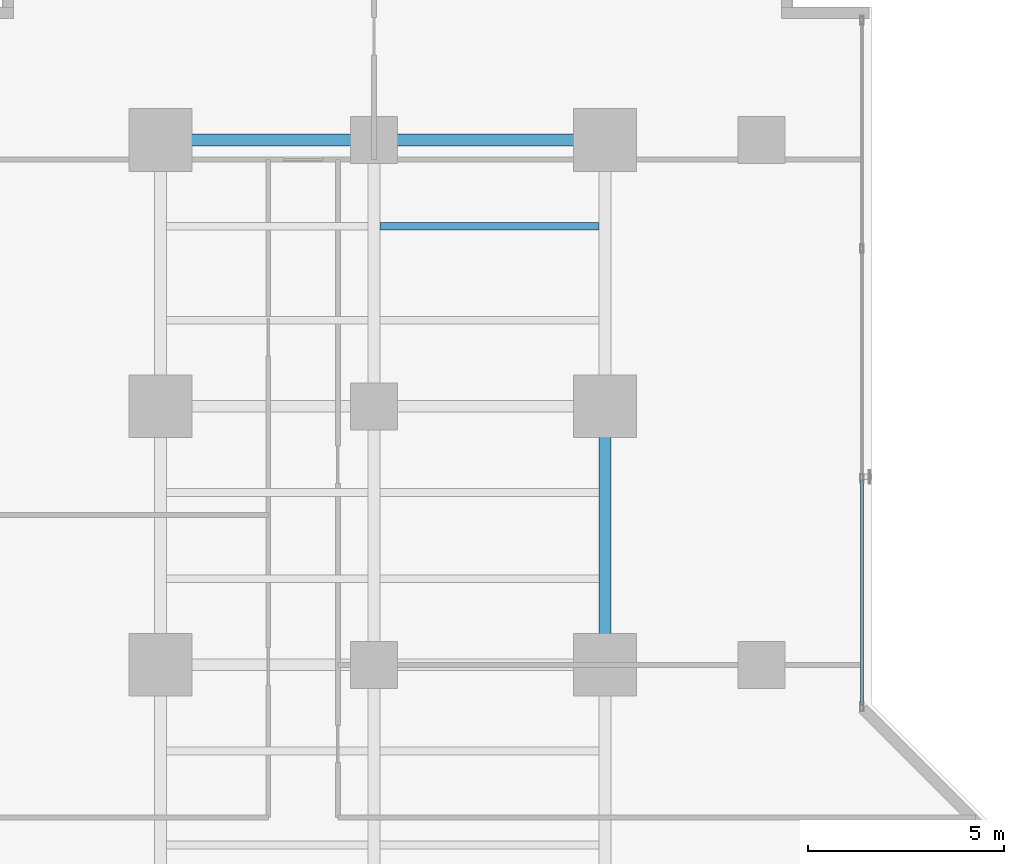
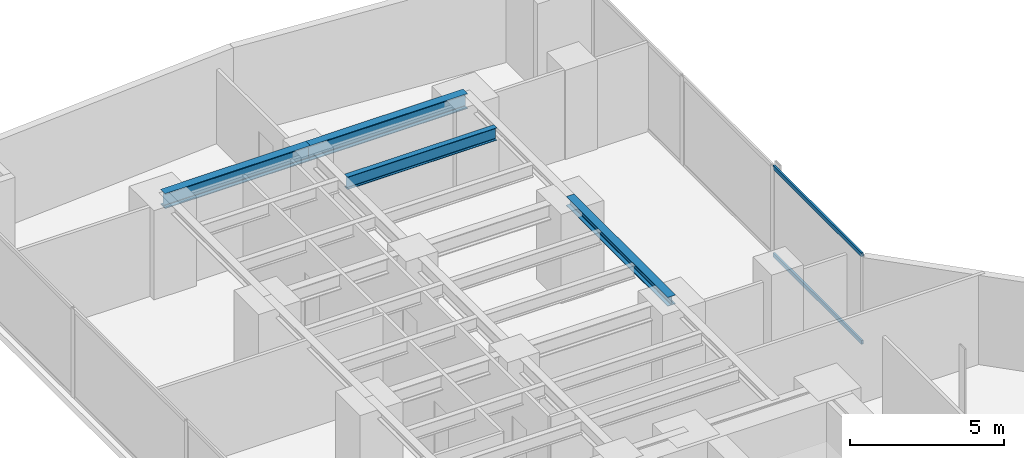
# One storey, part 18 of 28: 4 beams, 2 members, 1 element without a shape of its own.
"""IFC4 building model written with IfcOpenShell, lengths in metres."""

from ifc_helpers import new_model, si_unit, direction, frame, origin, origin_with_axes, origin_2d, place, context, subcontext, project, spatial, hollow_rectangle, i_section, extrude, source, transform, mapped, material, layer, layer_set, material_profile, profile_set, type_object, element, aggregate, save


model = new_model("IFC4")

# Units and contexts
model_context = context("Model", 3, precision=1e-05, world=origin(), true_north=direction((0.0, 1.0)))
body_context = subcontext(model_context, "Body", "Model", "MODEL_VIEW")
ifc_project = project(units=[si_unit("LENGTHUNIT", "METRE"), si_unit("AREAUNIT", "SQUARE_METRE"), si_unit("VOLUMEUNIT", "CUBIC_METRE"), si_unit("PLANEANGLEUNIT", "RADIAN"), si_unit("MASSUNIT", "GRAM", prefix="KILO")], contexts=[model_context])

# Site, building, storey
site_placement = place(None, origin())
site = spatial("IfcSite", under=ifc_project, at=site_placement, CompositionType="ELEMENT")
building_placement = place(site_placement, origin())
building = spatial("IfcBuilding", under=site, at=building_placement, Name="Kolvaren Waterfront Exchange", CompositionType="ELEMENT")
storey_placement = place(building_placement, frame((0.0, 0.0, 41.0)))
storey = spatial("IfcBuildingStorey", under=building, at=storey_placement, Name="L10", CompositionType="ELEMENT", Elevation=41.0)

# Beams
ifc_material_1 = material(Name="Steel S355", Category="steel")
ifc_material_profile_1 = material_profile(ifc_material_1, i_section(OverallWidth=0.300048828125, OverallDepth=0.360107421875, WebThickness=0.012451171875, FlangeThickness=0.0224609375, FilletRadius=0.027099609375, at=origin_2d()), Name="HEB360")
ifc_profile_set_1 = profile_set([ifc_material_profile_1], Name="Steel S355")
beam_type_1 = type_object("IfcBeamType", Name="STR-BM-HEB360", PredefinedType="SPANDREL", material=ifc_profile_set_1)
beam_1_placement = place(storey_placement, frame((18.800048828125, 31.199951171875, 3.360107421875), z_axis=(0.0, 1.0, 0.0), x_axis=(-1.0, 0.0, 0.0)))
element("IfcBeam", 1, at=beam_1_placement, inside=storey, type_object=beam_type_1, Name="L10 north-arm edge beam 2", PredefinedType="SPANDREL", context=body_context, shape_type="SweptSolid", body=[
    extrude(i_section(OverallWidth=0.300048828125, OverallDepth=0.360107421875, WebThickness=0.012451171875, FlangeThickness=0.0224609375, FilletRadius=0.027099609375, at=origin_2d()), origin(), (0.0, 0.0, 1.0), 6.60009765625),
])
ifc_material_profile_2 = material_profile(ifc_material_1, i_section(OverallWidth=0.300048828125, OverallDepth=0.60009765625, WebThickness=0.015380859375, FlangeThickness=0.030029296875, FilletRadius=0.027099609375, at=origin_2d()), Name="HEB600")
ifc_profile_set_2 = profile_set([ifc_material_profile_2], Name="Steel S355")
beam_type_2 = type_object("IfcBeamType", Name="STR-BM-HEB600", PredefinedType="BEAM", material=ifc_profile_set_2)
beam_2_placement = place(storey_placement, frame((7.449951171875, 44.60009765625, 3.239990234375), z_axis=(1.0, 0.0, 0.0), x_axis=(0.0, 1.0, 0.0)))
element("IfcBeam", 2, at=beam_2_placement, inside=storey, type_object=beam_type_2, Name="L10 north-arm girder 4A", PredefinedType="BEAM", context=body_context, shape_type="SweptSolid", body=[
    extrude(i_section(OverallWidth=0.300048828125, OverallDepth=0.60009765625, WebThickness=0.015380859375, FlangeThickness=0.030029296875, FilletRadius=0.027099609375, at=origin_2d()), origin(), (0.0, 0.0, 1.0), 5.449951171875),
])
beam_3_placement = place(storey_placement, frame((12.89990234375, 44.60009765625, 3.239990234375), z_axis=(1.0, 0.0, 0.0), x_axis=(0.0, 1.0, 0.0)))
element("IfcBeam", 3, at=beam_3_placement, inside=storey, type_object=beam_type_2, Name="L10 north-arm girder 4B", PredefinedType="BEAM", context=body_context, shape_type="SweptSolid", body=[
    extrude(i_section(OverallWidth=0.300048828125, OverallDepth=0.60009765625, WebThickness=0.015380859375, FlangeThickness=0.030029296875, FilletRadius=0.027099609375, at=origin_2d()), origin(), (0.0, 0.0, 1.0), 5.900146484375),
])
ifc_material_profile_3 = material_profile(ifc_material_1, i_section(OverallWidth=0.199951171875, OverallDepth=0.5, WebThickness=0.01025390625, FlangeThickness=0.01611328125, FilletRadius=0.02099609375, at=origin_2d()), Name="IPE500")
ifc_profile_set_3 = profile_set([ifc_material_profile_3], Name="Steel S355")
beam_type_3 = type_object("IfcBeamType", Name="STR-BM-IPE500", PredefinedType="JOIST", material=ifc_profile_set_3)
beam_4_placement = place(storey_placement, frame((13.052001953125, 42.39990234375, 3.2900390625), z_axis=(1.0, 0.0, 0.0), x_axis=(0.0, 1.0, 0.0)))
element("IfcBeam", 4, at=beam_4_placement, inside=storey, type_object=beam_type_3, Name="L10 north-arm composite joist 6B", PredefinedType="JOIST", context=body_context, shape_type="SweptSolid", body=[
    extrude(i_section(OverallWidth=0.199951171875, OverallDepth=0.5, WebThickness=0.01025390625, FlangeThickness=0.01611328125, FilletRadius=0.02099609375, at=origin_2d()), origin(), (0.0, 0.0, 1.0), 5.595947265625),
])

# Curtain wall, members
ifc_material_2 = material(Name="Anodised bronze aluminium 6063-T6", Category="aluminium")
ifc_layer = layer(ifc_material_2, 0.219970703125, Name="Anodised bronze aluminium 6063-T6")
ifc_layer_set = layer_set([ifc_layer], Name="Anodised bronze aluminium 6063-T6")
curtain_wall_type = type_object("IfcCurtainWallType", Name="ARC-CW-SYS1", PredefinedType="USERDEFINED", material=ifc_layer_set)
curtain_wall_placement = place(storey_placement, origin())
curtain_wall = element("IfcCurtainWall", 5, at=curtain_wall_placement, inside=storey, type_object=curtain_wall_type, Name="L10 stick curtain wall CW1 (CW-L10-NE)", ObjectType="STICK CURTAIN WALL", PredefinedType="USERDEFINED")
ifc_material_3 = material(Name="Anodised aluminium 6063-T6", Category="aluminium")
ifc_material_profile_4 = material_profile(ifc_material_3, hollow_rectangle(XDim=0.074951171875, YDim=0.159912109375, WallThickness=0.00439453125, at=origin_2d()), Name="ALU-TRN-160x75x4.5")
ifc_profile_set_4 = profile_set([ifc_material_profile_4], Name="Anodised aluminium 6063-T6")
member_type = type_object("IfcMemberType", Name="ARC-CWT-160", PredefinedType="USERDEFINED", material=ifc_profile_set_4)
shared_shape = source(origin_with_axes(), body_context, "Body", "SweptSolid", [
    extrude(hollow_rectangle(XDim=0.074951171875, YDim=0.159912109375, WallThickness=0.00439453125, at=origin_2d()), origin(), (0.0, 0.0, 1.0), 5.75),
])
member_1_placement = place(storey_placement, frame((25.360107421875, 30.169921875, 0.03759765625), z_axis=(0.0, 1.0, 0.0), x_axis=(-1.0, 0.0, 0.0)))
member_1 = element("IfcMember", 6, at=member_1_placement, type_object=member_type, Name="CW1 transom 1.1", ObjectType="TRANSOM", PredefinedType="USERDEFINED", context=body_context, shape_type="MappedRepresentation", body=[
    mapped(shared_shape, transform((0.0, 0.0, 0.0), x_axis=(1.0, 0.0, 0.0), y_axis=(0.0, 1.0, 0.0), z_axis=(0.0, 0.0, 1.0), scale=1.0)),
])
member_2_placement = place(storey_placement, frame((25.360107421875, 30.169921875, 3.50244140625), z_axis=(0.0, 1.0, 0.0), x_axis=(-1.0, 0.0, 0.0)))
member_2 = element("IfcMember", 7, at=member_2_placement, type_object=member_type, Name="CW1 transom 1.2", ObjectType="TRANSOM", PredefinedType="USERDEFINED", context=body_context, shape_type="MappedRepresentation", body=[
    mapped(shared_shape, transform((0.0, 0.0, 0.0), x_axis=(1.0, 0.0, 0.0), y_axis=(0.0, 1.0, 0.0), z_axis=(0.0, 0.0, 1.0), scale=1.0)),
])
aggregate(curtain_wall, [member_1, member_2])

save(model, "model.ifc")
